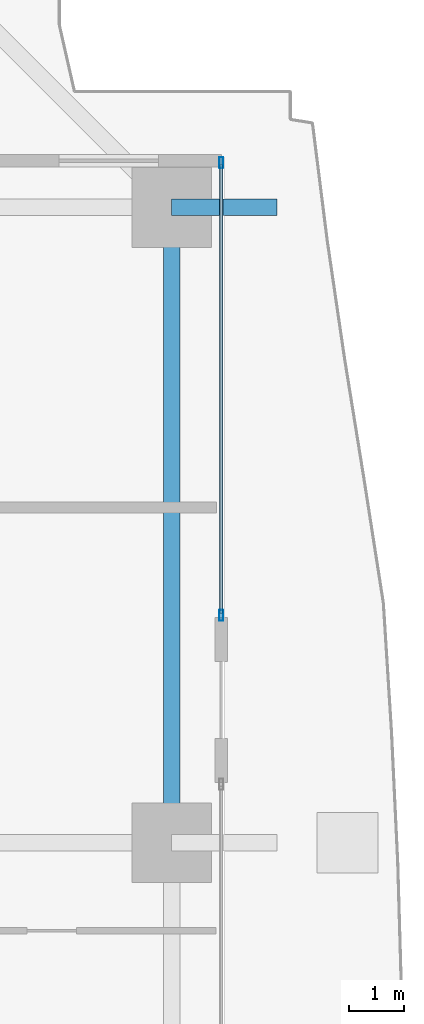
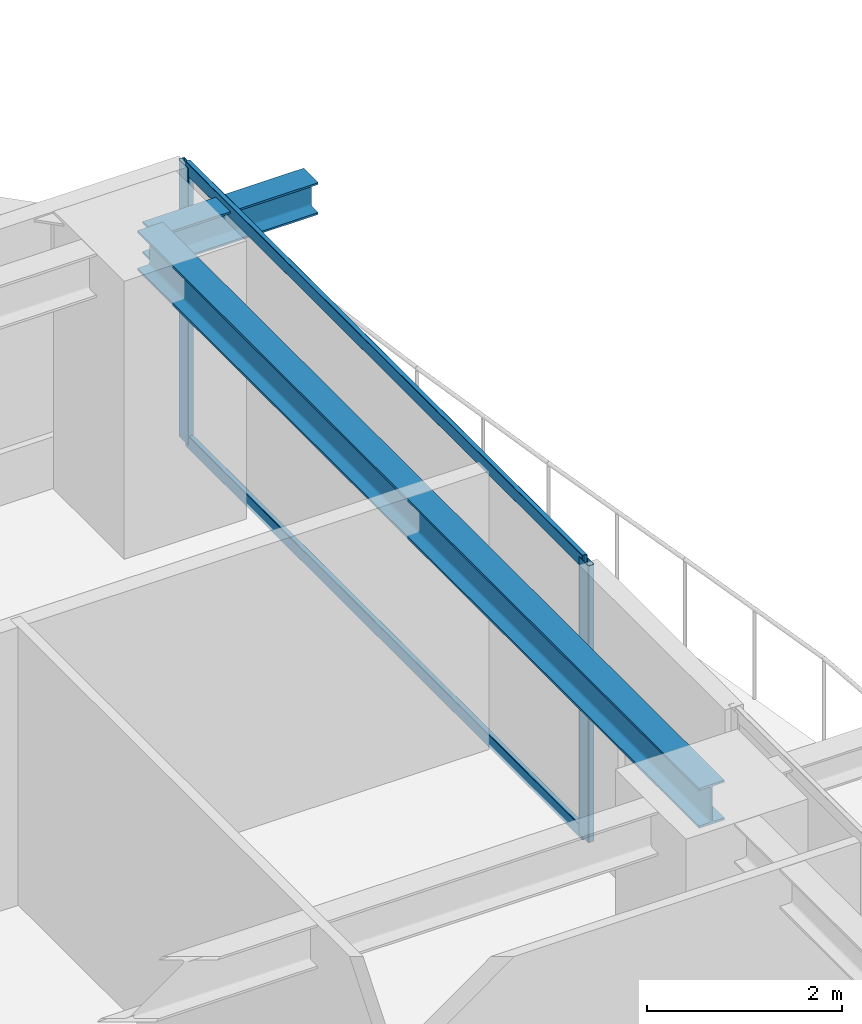
# One storey, part 22 of 38: 4 members, 2 beams, 1 element without a shape of its own.
"""IFC4 building model written with IfcOpenShell, lengths in metres."""

from ifc_helpers import new_model, si_unit, direction, frame, origin, origin_2d, place, context, subcontext, project, spatial, hollow_rectangle, i_section, extrude, source, transform, mapped, material, layer, layer_set, material_profile, profile_set, type_object, element, aggregate, save


model = new_model("IFC4")

# Units and contexts
model_context = context("Model", 3, precision=1e-05, world=origin(), true_north=direction((0.0, 1.0)))
body_context = subcontext(model_context, "Body", "Model", "MODEL_VIEW")
ifc_project = project(units=[si_unit("LENGTHUNIT", "METRE"), si_unit("AREAUNIT", "SQUARE_METRE"), si_unit("VOLUMEUNIT", "CUBIC_METRE"), si_unit("PLANEANGLEUNIT", "RADIAN"), si_unit("MASSUNIT", "GRAM", prefix="KILO")], contexts=[model_context])

# Site, building, storey
site_placement = place(None, origin())
site = spatial("IfcSite", under=ifc_project, at=site_placement, CompositionType="ELEMENT")
building_placement = place(site_placement, origin())
building = spatial("IfcBuilding", under=site, at=building_placement, Name="Serunith Strait Residences", CompositionType="ELEMENT")
storey_placement = place(building_placement, frame((0.0, 0.0, 52.949951171875)))
storey = spatial("IfcBuildingStorey", under=building, at=storey_placement, Name="L12", CompositionType="ELEMENT", Elevation=52.949951171875)

# Beams
ifc_material_1 = material(Name="Steel S355J2", Category="steel")
ifc_material_profile_1 = material_profile(ifc_material_1, i_section(OverallWidth=0.300048828125, OverallDepth=0.5, WebThickness=0.014404296875, FlangeThickness=0.028076171875, FilletRadius=0.027099609375, at=origin_2d()), Name="HEB 500")
ifc_profile_set_1 = profile_set([ifc_material_profile_1], Name="Steel S355J2")
beam_type_1 = type_object("IfcBeamType", Name="BM-HEB500", PredefinedType="BEAM", material=ifc_profile_set_1)
shared_shape_1 = source(origin(), body_context, "Body", "SweptSolid", [
    extrude(i_section(OverallWidth=0.300048828125, OverallDepth=0.5, WebThickness=0.014404296875, FlangeThickness=0.028076171875, FilletRadius=0.027099609375, at=origin_2d()), origin(), (0.0, 0.0, 1.0), 11.550048828125),
])
beam_1_placement = place(storey_placement, frame((57.89990234375, 29.39990234375, 3.237060546875), z_axis=(0.0, 1.0, 0.0), x_axis=(-1.0, 0.0, 0.0)))
element("IfcBeam", 1, at=beam_1_placement, inside=storey, type_object=beam_type_1, Name="L12 Perimeter Ring Beam 07", PredefinedType="BEAM", context=body_context, shape_type="MappedRepresentation", body=[
    mapped(shared_shape_1, transform((0.0, 0.0, 0.0), scale=1.0)),
])
ifc_material_profile_2 = material_profile(ifc_material_1, i_section(OverallWidth=0.300048828125, OverallDepth=0.39990234375, WebThickness=0.013427734375, FlangeThickness=0.02392578125, FilletRadius=0.027099609375, at=origin_2d()), Name="HEB 400")
ifc_profile_set_2 = profile_set([ifc_material_profile_2], Name="Steel S355J2")
beam_type_2 = type_object("IfcBeamType", Name="BM-HEB400", PredefinedType="BEAM", material=ifc_profile_set_2)
shared_shape_2 = source(origin(), body_context, "Body", "SweptSolid", [
    extrude(i_section(OverallWidth=0.300048828125, OverallDepth=0.39990234375, WebThickness=0.013427734375, FlangeThickness=0.02392578125, FilletRadius=0.027099609375, at=origin_2d()), origin(), (0.0, 0.0, 1.0), 1.91015625),
])
beam_2_placement = place(storey_placement, frame((57.89990234375, 40.949951171875, 3.257080078125), z_axis=(1.0, 0.0, 0.0), x_axis=(0.0, 1.0, 0.0)))
element("IfcBeam", 2, at=beam_2_placement, inside=storey, type_object=beam_type_2, Name="L13 Cantilevered Balcony Rib TC-E4", PredefinedType="BEAM", context=body_context, shape_type="MappedRepresentation", body=[
    mapped(shared_shape_2, transform((0.0, 0.0, 0.0), scale=1.0)),
])

# Curtain wall, members
ifc_material_2 = material(Name="Pale-Champagne Anodised Aluminium", Category="aluminium")
ifc_layer = layer(ifc_material_2, 0.199951171875, Name="Pale-Champagne Anodised Aluminium")
ifc_layer_set = layer_set([ifc_layer], Name="Pale-Champagne Anodised Aluminium")
curtain_wall_type = type_object("IfcCurtainWallType", Name="CW-SYS1", PredefinedType="NOTDEFINED", material=ifc_layer_set)
curtain_wall_placement = place(storey_placement, origin())
curtain_wall = element("IfcCurtainWall", 3, at=curtain_wall_placement, inside=storey, type_object=curtain_wall_type, Name="L12 E Unitised Fritted Curtain Wall", PredefinedType="NOTDEFINED")
ifc_material_profile_3 = material_profile(ifc_material_2, hollow_rectangle(XDim=0.070068359375, YDim=0.199951171875, WallThickness=0.00390625, InnerFilletRadius=0.006103515625, OuterFilletRadius=0.010009765625, at=origin_2d()), Name="ALU 200x70x4")
ifc_profile_set_3 = profile_set([ifc_material_profile_3], Name="Pale-Champagne Anodised Aluminium")
member_type_1 = type_object("IfcMemberType", Name="CW-SYS1-MULL", PredefinedType="MULLION", material=ifc_profile_set_3)
shared_shape_3 = source(origin(), body_context, "Body", "SweptSolid", [
    extrude(hollow_rectangle(XDim=0.070068359375, YDim=0.199951171875, WallThickness=0.00390625, InnerFilletRadius=0.006103515625, OuterFilletRadius=0.010009765625, at=origin_2d()), origin(), (0.0, 0.0, 1.0), 3.47509765625),
])
member_1_placement = place(storey_placement, frame((58.800048828125, 33.534912109375, 0.0), z_axis=(0.0, 0.0, 1.0), x_axis=(-1.0, 0.0, 0.0)))
member_1 = element("IfcMember", 4, at=member_1_placement, type_object=member_type_1, Name="CW-1 mullion 1", PredefinedType="MULLION", context=body_context, shape_type="MappedRepresentation", body=[
    mapped(shared_shape_3, transform((0.0, 0.0, 0.0), scale=1.0)),
])
member_2_placement = place(storey_placement, frame((58.800048828125, 41.764892578125, 0.0), z_axis=(0.0, 0.0, 1.0), x_axis=(-1.0, 0.0, 0.0)))
member_2 = element("IfcMember", 5, at=member_2_placement, type_object=member_type_1, Name="CW-1 mullion 2", PredefinedType="MULLION", context=body_context, shape_type="MappedRepresentation", body=[
    mapped(shared_shape_3, transform((0.0, 0.0, 0.0), scale=1.0)),
])
ifc_material_profile_4 = material_profile(ifc_material_2, hollow_rectangle(XDim=0.06005859375, YDim=0.159912109375, WallThickness=0.00341796875, InnerFilletRadius=0.00537109375, OuterFilletRadius=0.0087890625, at=origin_2d()), Name="ALU 160x60x3.5")
ifc_profile_set_4 = profile_set([ifc_material_profile_4], Name="Pale-Champagne Anodised Aluminium")
member_type_2 = type_object("IfcMemberType", Name="CW-SYS1-TRAN", PredefinedType="USERDEFINED", material=ifc_profile_set_4)
shared_shape_4 = source(origin(), body_context, "Body", "SweptSolid", [
    extrude(hollow_rectangle(XDim=0.06005859375, YDim=0.159912109375, WallThickness=0.00341796875, InnerFilletRadius=0.00537109375, OuterFilletRadius=0.0087890625, at=origin_2d()), origin(), (0.0, 0.0, 1.0), 8.159912109375),
])
member_3_placement = place(storey_placement, frame((58.800048828125, 33.570068359375, 0.030029296875), z_axis=(0.0, 1.0, 0.0), x_axis=(-1.0, 0.0, 0.0)))
member_3 = element("IfcMember", 6, at=member_3_placement, type_object=member_type_2, Name="CW-1 transom 1.1", ObjectType="TRANSOM", PredefinedType="USERDEFINED", context=body_context, shape_type="MappedRepresentation", body=[
    mapped(shared_shape_4, transform((0.0, 0.0, 0.0), scale=1.0)),
])
member_4_placement = place(storey_placement, frame((58.800048828125, 33.570068359375, 3.445068359375), z_axis=(0.0, 1.0, 0.0), x_axis=(-1.0, 0.0, 0.0)))
member_4 = element("IfcMember", 7, at=member_4_placement, type_object=member_type_2, Name="CW-1 transom 1.2", ObjectType="TRANSOM", PredefinedType="USERDEFINED", context=body_context, shape_type="MappedRepresentation", body=[
    mapped(shared_shape_4, transform((0.0, 0.0, 0.0), scale=1.0)),
])
aggregate(curtain_wall, [member_1, member_2, member_3, member_4])

save(model, "model.ifc")
